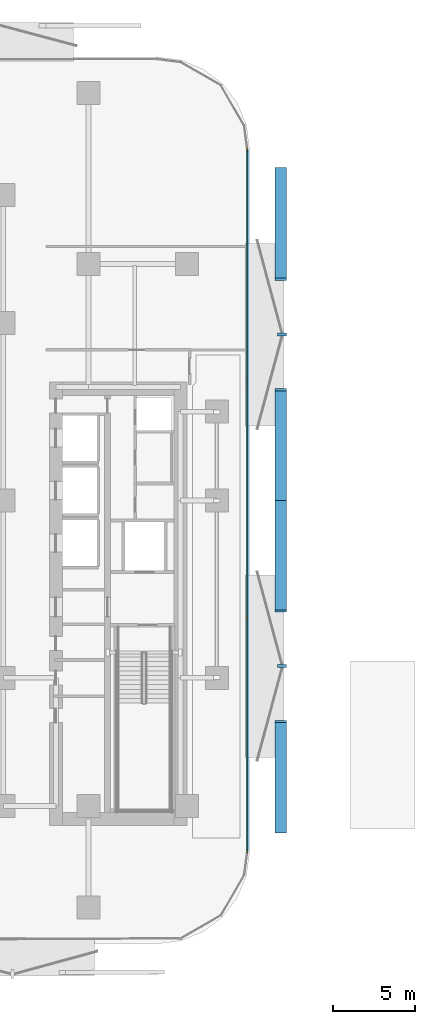
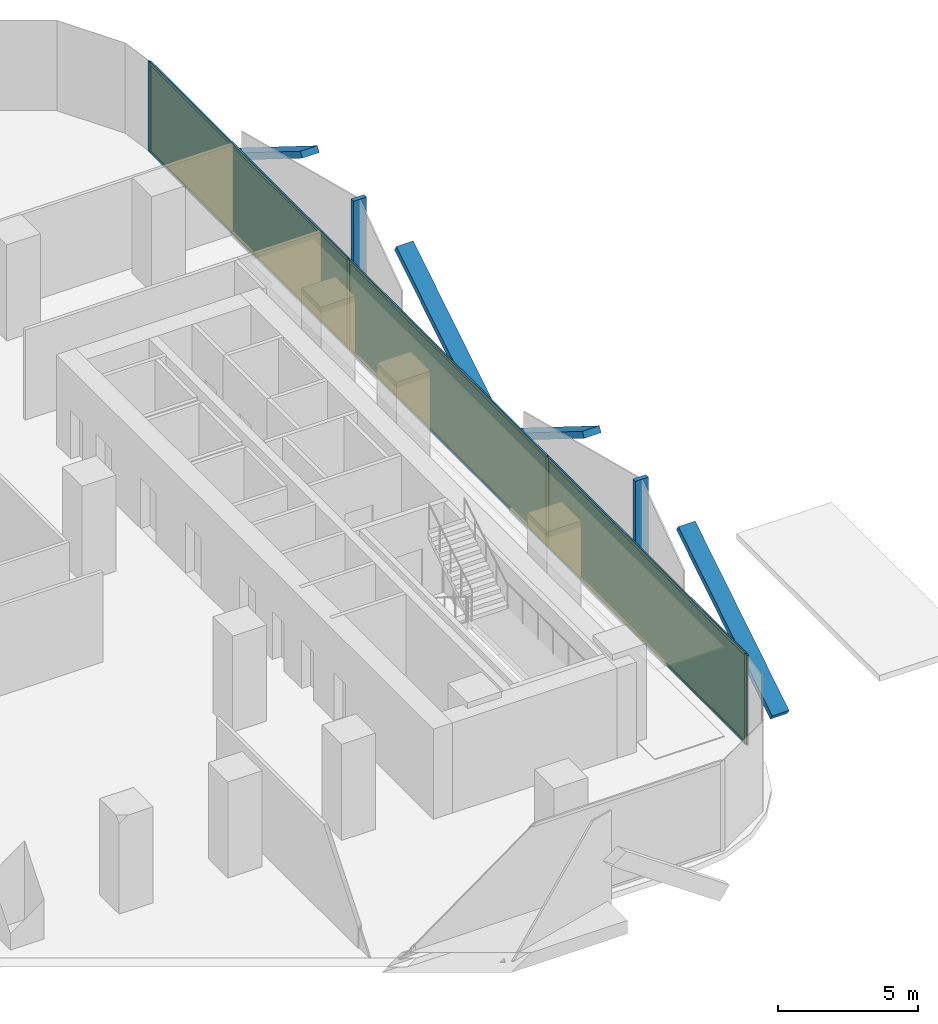
# One storey, part 9 of 16: 16 members, 3 plates, 1 curtain wall.
"""IFC4 building model written with IfcOpenShell, lengths in metres."""

from ifc_helpers import new_model, si_unit, direction, frame, frame_2d, origin, origin_2d, place, context, subcontext, project, spatial, rectangle, extrude, material, layer, layer_set, material_profile, profile_set, type_object, element, aggregate, save


model = new_model("IFC4")

# Units and contexts
model_context = context("Model", 3, precision=1e-05, world=origin(), true_north=direction((0.0, 1.0)))
body_context = subcontext(model_context, "Body", "Model", "MODEL_VIEW")
ifc_project = project(units=[si_unit("LENGTHUNIT", "METRE"), si_unit("AREAUNIT", "SQUARE_METRE"), si_unit("VOLUMEUNIT", "CUBIC_METRE"), si_unit("PLANEANGLEUNIT", "RADIAN"), si_unit("MASSUNIT", "GRAM", prefix="KILO")], contexts=[model_context])

# Member
ifc_material_1 = material(Name="Anodised Bronze Aluminium 6063-T6", Category="aluminium")
ifc_material_profile_1 = material_profile(ifc_material_1, rectangle(XDim=0.260009765625, YDim=0.699951171875, at=origin_2d()))
ifc_profile_set_1 = profile_set([ifc_material_profile_1], Name="Anodised Bronze Aluminium 6063-T6")
member_type_1 = type_object("IfcMemberType", Name="Bronze Diamond Solar-Screen Lattice Rib BDL-700", PredefinedType="MULLION", material=ifc_profile_set_1)
site_placement = place(None, origin())
building_placement = place(site_placement, origin())
storey_placement = place(building_placement, frame((0.0, 0.0, 26.0)))
member_1_placement = place(storey_placement, frame((26.10009765625, 20.19091796875, -0.1298828125), z_axis=(0.0, -0.848371528126, 0.529401313057), x_axis=(0.0, -0.529401313057, -0.848371528126)))
member_1 = element("IfcMember", 1, at=member_1_placement, type_object=member_type_1, Name="L06 Bronze Diamond Solar Screen Lattice Rib 7A", PredefinedType="MULLION", context=body_context, shape_type="SweptSolid", body=[
    extrude(rectangle(XDim=0.260009765625, YDim=0.699951171875, at=origin_2d()), origin(), (0.0, 0.0, 1.0), 7.933349609375),
])

member_2_placement = place(storey_placement, frame((26.10009765625, 0.0, -0.1298828125), z_axis=(0.0, 0.848362902952, 0.529415134744), x_axis=(0.0, 0.529415134744, -0.848362902952)))
member_2 = element("IfcMember", 2, at=member_2_placement, type_object=member_type_1, Name="L06 Bronze Diamond Solar Screen Lattice Rib 7B", PredefinedType="MULLION", context=body_context, shape_type="SweptSolid", body=[
    extrude(rectangle(XDim=0.260009765625, YDim=0.699951171875, at=origin_2d()), origin(), (0.0, 0.0, 1.0), 7.93310546875),
])

member_3_placement = place(storey_placement, frame((26.10009765625, 0.0, -0.1298828125), z_axis=(0.0, -0.848362902952, 0.529415134744), x_axis=(0.0, -0.529415134744, -0.848362902952)))
member_3 = element("IfcMember", 3, at=member_3_placement, type_object=member_type_1, Name="L06 Bronze Diamond Solar Screen Lattice Rib 8A", PredefinedType="MULLION", context=body_context, shape_type="SweptSolid", body=[
    extrude(rectangle(XDim=0.260009765625, YDim=0.699951171875, at=origin_2d()), origin(), (0.0, 0.0, 1.0), 7.93310546875),
])

member_4_placement = place(storey_placement, frame((26.10009765625, -20.19091796875, -0.1298828125), z_axis=(0.0, 0.848371528126, 0.529401313057), x_axis=(0.0, 0.529401313057, -0.848371528126)))
member_4 = element("IfcMember", 4, at=member_4_placement, type_object=member_type_1, Name="L06 Bronze Diamond Solar Screen Lattice Rib 8B", PredefinedType="MULLION", context=body_context, shape_type="SweptSolid", body=[
    extrude(rectangle(XDim=0.260009765625, YDim=0.699951171875, at=origin_2d()), origin(), (0.0, 0.0, 1.0), 7.933349609375),
])

ifc_material_2 = material(Name="Anodised Bronze Aluminium 6063-T6", Category="aluminium")
ifc_material_profile_2 = material_profile(ifc_material_2, rectangle(XDim=0.179931640625, YDim=0.5400390625, at=origin_2d()))
ifc_profile_set_2 = profile_set([ifc_material_profile_2], Name="Anodised Bronze Aluminium 6063-T6")
member_type_2 = type_object("IfcMemberType", Name="Bronze Solar-Screen Vertical Fold Fin BSF-540", PredefinedType="MULLION", material=ifc_profile_set_2)
member_5_placement = place(storey_placement, frame((26.179931640625, 10.095458984375, -0.1298828125), z_axis=(0.0, 0.0, 1.0), x_axis=(0.0, -1.0, 0.0)))
member_5 = element("IfcMember", 5, at=member_5_placement, type_object=member_type_2, Name="L06 Bronze Solar Screen Vertical Fin 7", PredefinedType="MULLION", context=body_context, shape_type="SweptSolid", body=[
    extrude(rectangle(XDim=0.179931640625, YDim=0.5400390625, at=origin_2d()), origin(), (0.0, 0.0, 1.0), 4.199951171875),
])

member_6_placement = place(storey_placement, frame((26.179931640625, -10.095458984375, -0.1298828125), z_axis=(0.0, 0.0, 1.0), x_axis=(0.0, -1.0, 0.0)))
member_6 = element("IfcMember", 6, at=member_6_placement, type_object=member_type_2, Name="L06 Bronze Solar Screen Vertical Fin 8", PredefinedType="MULLION", context=body_context, shape_type="SweptSolid", body=[
    extrude(rectangle(XDim=0.179931640625, YDim=0.5400390625, at=origin_2d()), origin(), (0.0, 0.0, 1.0), 4.199951171875),
])

ifc_material_3 = material(Name="Anodised Bronze Aluminium 6063-T6", Category="aluminium")
ifc_material_profile_3 = material_profile(ifc_material_3, rectangle(XDim=0.06494140625, YDim=0.179931640625, at=origin_2d()))
ifc_profile_set_3 = profile_set([ifc_material_profile_3], Name="Anodised Bronze Aluminium 6063-T6")
member_type_3 = type_object("IfcMemberType", Name="CW-Z1 Mullion 65x180", PredefinedType="MULLION", material=ifc_profile_set_3)
member_7_placement = place(storey_placement, frame((24.06005859375, 21.3583984375, 0.0), z_axis=(0.0, 0.0, 1.0), x_axis=(1.0, 0.0, 0.0)))
member_7 = element("IfcMember", 7, at=member_7_placement, type_object=member_type_3, Name="CW-Z1 mullion 1", PredefinedType="MULLION", context=body_context, shape_type="SweptSolid", body=[
    extrude(rectangle(XDim=0.06494140625, YDim=0.179931640625, at=origin_2d()), origin(), (0.0, 0.0, 1.0), 3.93994140625),
])

member_8_placement = place(storey_placement, frame((24.06005859375, 7.13037109375, 0.0), z_axis=(0.0, 0.0, 1.0), x_axis=(1.0, 0.0, 0.0)))
member_8 = element("IfcMember", 8, at=member_8_placement, type_object=member_type_3, Name="CW-Z1 mullion 2", PredefinedType="MULLION", context=body_context, shape_type="SweptSolid", body=[
    extrude(rectangle(XDim=0.06494140625, YDim=0.179931640625, at=origin_2d()), origin(), (0.0, 0.0, 1.0), 3.93994140625),
])

member_9_placement = place(storey_placement, frame((24.06005859375, -7.13037109375, 0.0), z_axis=(0.0, 0.0, 1.0), x_axis=(1.0, 0.0, 0.0)))
member_9 = element("IfcMember", 9, at=member_9_placement, type_object=member_type_3, Name="CW-Z1 mullion 3", PredefinedType="MULLION", context=body_context, shape_type="SweptSolid", body=[
    extrude(rectangle(XDim=0.06494140625, YDim=0.179931640625, at=origin_2d()), origin(), (0.0, 0.0, 1.0), 3.93994140625),
])

member_10_placement = place(storey_placement, frame((24.06005859375, -21.3583984375, 0.0), z_axis=(0.0, 0.0, 1.0), x_axis=(1.0, 0.0, 0.0)))
member_10 = element("IfcMember", 10, at=member_10_placement, type_object=member_type_3, Name="CW-Z1 mullion 4", PredefinedType="MULLION", context=body_context, shape_type="SweptSolid", body=[
    extrude(rectangle(XDim=0.06494140625, YDim=0.179931640625, at=origin_2d()), origin(), (0.0, 0.0, 1.0), 3.93994140625),
])

ifc_material_4 = material(Name="Anodised Bronze Aluminium 6063-T6", Category="aluminium")
ifc_material_profile_4 = material_profile(ifc_material_4, rectangle(XDim=0.06494140625, YDim=0.139892578125, at=origin_2d()))
ifc_profile_set_4 = profile_set([ifc_material_profile_4], Name="Anodised Bronze Aluminium 6063-T6")
member_type_4 = type_object("IfcMemberType", Name="CW-Z1 Transom 65x140", PredefinedType="USERDEFINED", material=ifc_profile_set_4)
member_11_placement = place(storey_placement, frame((24.06005859375, 21.32568359375, 0.032470703125), z_axis=(0.0, -1.0, 0.0), x_axis=(1.0, 0.0, 0.0)))
member_11 = element("IfcMember", 11, at=member_11_placement, type_object=member_type_4, Name="CW-Z1 transom 1.1", ObjectType="TRANSOM", PredefinedType="USERDEFINED", context=body_context, shape_type="SweptSolid", body=[
    extrude(rectangle(XDim=0.06494140625, YDim=0.139892578125, at=origin_2d()), origin(), (0.0, 0.0, 1.0), 14.162841796875),
])

member_12_placement = place(storey_placement, frame((24.06005859375, 21.32568359375, 3.907470703125), z_axis=(0.0, -1.0, 0.0), x_axis=(1.0, 0.0, 0.0)))
member_12 = element("IfcMember", 12, at=member_12_placement, type_object=member_type_4, Name="CW-Z1 transom 1.2", ObjectType="TRANSOM", PredefinedType="USERDEFINED", context=body_context, shape_type="SweptSolid", body=[
    extrude(rectangle(XDim=0.06494140625, YDim=0.139892578125, at=origin_2d()), origin(), (0.0, 0.0, 1.0), 14.162841796875),
])

member_13_placement = place(storey_placement, frame((24.06005859375, 7.09765625, 0.032470703125), z_axis=(0.0, -1.0, 0.0), x_axis=(1.0, 0.0, 0.0)))
member_13 = element("IfcMember", 13, at=member_13_placement, type_object=member_type_4, Name="CW-Z1 transom 2.1", ObjectType="TRANSOM", PredefinedType="USERDEFINED", context=body_context, shape_type="SweptSolid", body=[
    extrude(rectangle(XDim=0.06494140625, YDim=0.139892578125, at=origin_2d()), origin(), (0.0, 0.0, 1.0), 14.1953125),
])

member_14_placement = place(storey_placement, frame((24.06005859375, 7.09765625, 3.907470703125), z_axis=(0.0, -1.0, 0.0), x_axis=(1.0, 0.0, 0.0)))
member_14 = element("IfcMember", 14, at=member_14_placement, type_object=member_type_4, Name="CW-Z1 transom 2.2", ObjectType="TRANSOM", PredefinedType="USERDEFINED", context=body_context, shape_type="SweptSolid", body=[
    extrude(rectangle(XDim=0.06494140625, YDim=0.139892578125, at=origin_2d()), origin(), (0.0, 0.0, 1.0), 14.1953125),
])

member_15_placement = place(storey_placement, frame((24.06005859375, -7.162841796875, 0.032470703125), z_axis=(0.0, -1.0, 0.0), x_axis=(1.0, 0.0, 0.0)))
member_15 = element("IfcMember", 15, at=member_15_placement, type_object=member_type_4, Name="CW-Z1 transom 3.1", ObjectType="TRANSOM", PredefinedType="USERDEFINED", context=body_context, shape_type="SweptSolid", body=[
    extrude(rectangle(XDim=0.06494140625, YDim=0.139892578125, at=origin_2d()), origin(), (0.0, 0.0, 1.0), 14.162841796875),
])

member_16_placement = place(storey_placement, frame((24.06005859375, -7.162841796875, 3.907470703125), z_axis=(0.0, -1.0, 0.0), x_axis=(1.0, 0.0, 0.0)))
member_16 = element("IfcMember", 16, at=member_16_placement, type_object=member_type_4, Name="CW-Z1 transom 3.2", ObjectType="TRANSOM", PredefinedType="USERDEFINED", context=body_context, shape_type="SweptSolid", body=[
    extrude(rectangle(XDim=0.06494140625, YDim=0.139892578125, at=origin_2d()), origin(), (0.0, 0.0, 1.0), 14.162841796875),
])

# Plate
ifc_material_5 = material(Name="Low-E Solar Control Laminated Glass", Category="glass")
ifc_layer_1 = layer(ifc_material_5, 0.028076171875, Name="Low-E Solar Control Laminated Glass")
ifc_layer_set_1 = layer_set([ifc_layer_1], Name="Low-E Solar Control Laminated Glass")
plate_type = type_object("IfcPlateType", Name="CW-Z1 Low-E Double Glazed Panel 28mm", PredefinedType="CURTAIN_PANEL", material=ifc_layer_set_1)
plate_1_placement = place(storey_placement, frame((24.06005859375, 14.244384765625, 0.06494140625), z_axis=(0.0, 0.0, 1.0), x_axis=(0.0, -1.0, 0.0)))
plate_1 = element("IfcPlate", 17, at=plate_1_placement, type_object=plate_type, Name="CW-Z1 panel 1.1", PredefinedType="CURTAIN_PANEL", context=body_context, shape_type="SweptSolid", body=[
    extrude(rectangle(XDim=14.1630859375, YDim=0.028076171875, at=origin_2d()), origin(), (0.0, 0.0, 1.0), 3.81005859375),
])

plate_2_placement = place(storey_placement, frame((24.06005859375, 0.0, 0.06494140625), z_axis=(0.0, 0.0, 1.0), x_axis=(0.0, -1.0, 0.0)))
plate_2 = element("IfcPlate", 18, at=plate_2_placement, type_object=plate_type, Name="CW-Z1 panel 2.1", PredefinedType="CURTAIN_PANEL", context=body_context, shape_type="SweptSolid", body=[
    extrude(rectangle(XDim=14.195556640625, YDim=0.028076171875, at=origin_2d()), origin(), (0.0, 0.0, 1.0), 3.81005859375),
])

plate_3_placement = place(storey_placement, frame((24.06005859375, -14.244384765625, 0.06494140625), z_axis=(0.0, 0.0, 1.0), x_axis=(0.0, -1.0, 0.0)))
plate_3 = element("IfcPlate", 19, at=plate_3_placement, type_object=plate_type, Name="CW-Z1 panel 3.1", PredefinedType="CURTAIN_PANEL", context=body_context, shape_type="SweptSolid", body=[
    extrude(rectangle(XDim=14.1630859375, YDim=0.028076171875, at=origin_2d()), origin(), (0.0, 0.0, 1.0), 3.81005859375),
])

# Site, building, storey
site = spatial("IfcSite", under=ifc_project, at=site_placement, CompositionType="ELEMENT")
building = spatial("IfcBuilding", under=site, at=building_placement, Name="Khairoan Windgate Tower", CompositionType="ELEMENT")
storey = spatial("IfcBuildingStorey", under=building, at=storey_placement, Name="L06", CompositionType="ELEMENT", Elevation=26.0)

# Curtain wall
ifc_material_6 = material(Name="Anodised Bronze Aluminium 6063-T6", Category="aluminium")
ifc_layer_2 = layer(ifc_material_6, 0.179931640625, Name="Anodised Bronze Aluminium 6063-T6")
ifc_layer_set_2 = layer_set([ifc_layer_2], Name="Anodised Bronze Aluminium 6063-T6")
curtain_wall_type = type_object("IfcCurtainWallType", Name="Low-Rise Office Unitised Curtain Wall CW-Z1", PredefinedType="NOTDEFINED", material=ifc_layer_set_2)
curtain_wall_placement = place(storey_placement, frame((24.06005859375, 21.390869140625, 0.0), z_axis=(0.0, 0.0, 1.0), x_axis=(0.0, -1.0, 0.0)))
curtain_wall = element("IfcCurtainWall", 20, at=curtain_wall_placement, inside=storey, type_object=curtain_wall_type, Name="L06 Unitised Curtain Wall 16", PredefinedType="NOTDEFINED", context=body_context, shape_type="SweptSolid", body=[
    extrude(rectangle(XDim=42.78173828125, YDim=0.010009765625, at=frame_2d((21.390869140625, 0.0))), origin(), (0.0, 0.0, 1.0), 3.93994140625),
])

aggregate(curtain_wall, [member_7, member_8, member_9, member_10, member_11, member_12, plate_1, member_13, member_14, plate_2, member_15, member_16, plate_3, member_1, member_2, member_5, member_3, member_4, member_6])

save(model, "model.ifc")
